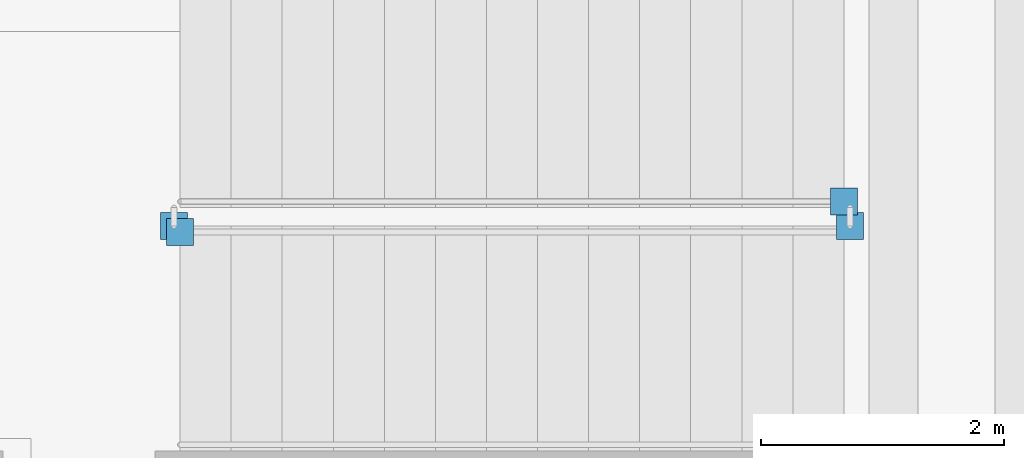
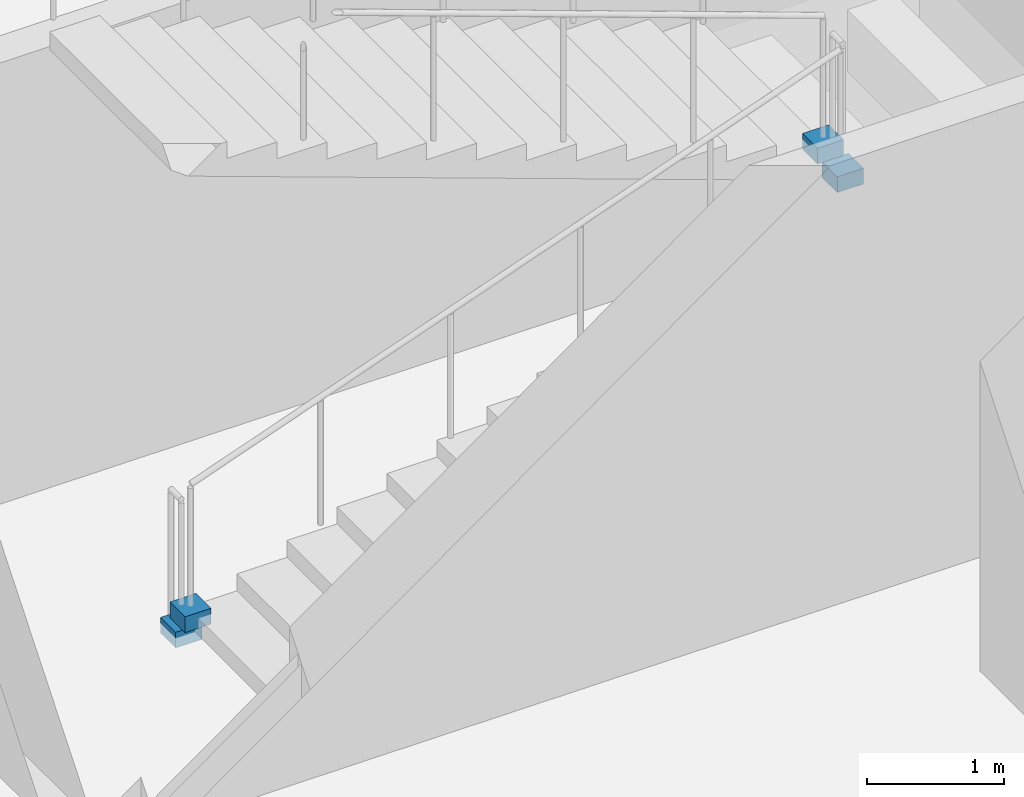
# One storey, part 20 of 28: 4 discrete accessories.
"""IFC4 building model written with IfcOpenShell, lengths in metres."""

import ifcopenshell
import ifcopenshell.guid

model = None  # the IFC model being written
_history = None  # IfcOwnerHistory: only IFC2X3 demands one
_inside = {}  # id of a spatial element -> (the spatial element, [elements in it])
_under = {}  # id of a project, library or spatial element -> (it, [spatial elements below it])
_declared = {}  # id of a project -> (the project, [libraries it declares])
_typed = {}  # id of a type object -> (the type object, [elements of that type])
_made_of = {}  # id of a material, layer set ... -> (it, [elements and type objects made of it])


def new_model(schema):
    """Start an empty IFC model of exactly this schema.

    Asked for "IFC4X3", IfcOpenShell would pick the latest addendum, in which some entities
    have other attributes; the version numbers below select the first issue.
    IFC2X3 requires an IfcOwnerHistory on every rooted entity: one is made here for all.
    """
    global model, _history
    if schema == "IFC4X3":
        model = ifcopenshell.file(schema_version=(4, 3, 0, 0))
    else:
        model = ifcopenshell.file(schema=schema)
    _inside.clear()
    _under.clear()
    _declared.clear()
    _typed.clear()
    _made_of.clear()
    _history = None
    if model.schema == "IFC2X3":
        org = make("IfcOrganization", Name="unknown")
        user = make(
            "IfcPersonAndOrganization",
            ThePerson=make("IfcPerson", FamilyName="unknown"),
            TheOrganization=org,
        )
        app = make(
            "IfcApplication",
            ApplicationDeveloper=org,
            Version="unknown",
            ApplicationFullName="unknown",
            ApplicationIdentifier="unknown",
        )
        _history = make(
            "IfcOwnerHistory",
            OwningUser=user,
            OwningApplication=app,
            ChangeAction="ADDED",
            CreationDate=0,
        )
    return model


def make(cls, **values):
    """One entity of the class cls with the attributes given. An attribute that is None is left unset."""
    return model.create_entity(
        cls, **{name: value for name, value in values.items() if value is not None}
    )


def rooted(cls, **values):
    """An entity with a GlobalId (a new one), such as an element, a storey or a relation."""
    return make(cls, GlobalId=ifcopenshell.guid.new(), OwnerHistory=_history, **values)


def si_unit(unit_type, name, prefix=None):
    """IfcSIUnit, for example si_unit("LENGTHUNIT", "METRE", prefix="MILLI")."""
    return make("IfcSIUnit", UnitType=unit_type, Prefix=prefix, Name=name)


def assignment(units):
    """IfcUnitAssignment: the units of a project."""
    return None if units is None else make("IfcUnitAssignment", Units=units)


def point(xyz):
    """IfcCartesianPoint."""
    return None if xyz is None else make("IfcCartesianPoint", Coordinates=xyz)


def direction(xyz):
    """IfcDirection."""
    return None if xyz is None else make("IfcDirection", DirectionRatios=xyz)


def frame(location, z_axis=None, x_axis=None):
    """IfcAxis2Placement3D, a coordinate frame: its origin and axes. An axis left out is left unset."""
    return make(
        "IfcAxis2Placement3D",
        Location=point(location),
        Axis=direction(z_axis),
        RefDirection=direction(x_axis),
    )


def frame_2d(location, x_axis=None):
    """IfcAxis2Placement2D, a coordinate frame in the plane: its origin and x axis."""
    return make(
        "IfcAxis2Placement2D", Location=point(location), RefDirection=direction(x_axis)
    )


def origin():
    """The frame at (0, 0, 0) with its axes left unset."""
    return frame((0.0, 0.0, 0.0))


def origin_2d():
    """The frame at (0, 0) in the plane with its x axis left unset."""
    return frame_2d((0.0, 0.0))


def place(relative_to, where):
    """IfcLocalPlacement: puts the frame where relative to a parent placement (None: the world)."""
    return make(
        "IfcLocalPlacement", PlacementRelTo=relative_to, RelativePlacement=where
    )


def context(
    kind, dimensions, precision=None, world=None, true_north=None, identifier=None
):
    """IfcGeometricRepresentationContext, for example the 3D "Model" context."""
    return make(
        "IfcGeometricRepresentationContext",
        ContextIdentifier=identifier,
        ContextType=kind,
        CoordinateSpaceDimension=dimensions,
        Precision=precision,
        WorldCoordinateSystem=world,
        TrueNorth=true_north,
    )


def subcontext(parent, identifier, kind, view, scale=None):
    """IfcGeometricRepresentationSubContext, for example "Body" below "Model"."""
    return make(
        "IfcGeometricRepresentationSubContext",
        ContextIdentifier=identifier,
        ContextType=kind,
        ParentContext=parent,
        TargetScale=scale,
        TargetView=view,
    )


def project(units=None, contexts=None):
    """IfcProject with its units and contexts."""
    return rooted(
        "IfcProject",
        Name="project",
        RepresentationContexts=contexts,
        UnitsInContext=assignment(units),
    )


def spatial(cls, under=None, at=None, **own):
    """A site, building, storey or space (cls), placed at a placement, below another one or the project."""
    s = rooted(cls, ObjectPlacement=at, **own)
    if under is not None:
        _under.setdefault(under.id(), (under, []))[1].append(s)
    return s


def profile(cls, at=None, kind="AREA", **sizes):
    """A parametric profile (cls). Its sizes go by their IFC names, for example OverallWidth=200.0."""
    return make(cls, ProfileType=kind, Position=at, **sizes)


def rectangle(**sizes):
    """IfcRectangleProfileDef."""
    return profile("IfcRectangleProfileDef", **sizes)


def extrude(swept, where, along, depth):
    """IfcExtrudedAreaSolid: the profile swept, set in the frame where, extruded along a direction by depth."""
    return make(
        "IfcExtrudedAreaSolid",
        SweptArea=swept,
        Position=where,
        ExtrudedDirection=direction(along),
        Depth=depth,
    )


def shape(context_of_items, identifier, shape_type, items):
    """IfcShapeRepresentation: the items that make up one representation, for example the "Body"."""
    return make(
        "IfcShapeRepresentation",
        ContextOfItems=context_of_items,
        RepresentationIdentifier=identifier,
        RepresentationType=shape_type,
        Items=items,
    )


def material(Name=None, Category=None):
    """IfcMaterial."""
    return make("IfcMaterial", Name=Name, Category=Category)


def made_of(thing, what):
    """Note that an element or type object is made of a material, layer set ...; save() writes the relation."""
    if what is not None:
        _made_of.setdefault(what.id(), (what, []))[1].append(thing)
    return thing


def type_object(cls, material=None, **own):
    """A type object (cls), such as IfcWallType, which elements share."""
    return made_of(rooted(cls, **own), material)


def element(
    cls,
    number,
    at=None,
    inside=None,
    cuts=None,
    type_object=None,
    material=None,
    context=None,
    identifier="Body",
    shape_type=None,
    held_by="IfcProductDefinitionShape",
    body=None,
    shapes=None,
    **own,
):
    """One element of the class cls, such as IfcWall. Its Tag is "e" and its number.

    at: its placement. inside: the storey or other place that contains it. cuts: it is an
    opening in that element (IfcRelVoidsElement). A single representation is given by context,
    identifier, shape_type and body (its items); several are given by shapes. held_by: the class
    of the entity that holds the representations. save() writes the other relations.
    """
    e = rooted(cls, Tag="e%d" % number, ObjectPlacement=at, **own)
    if body is not None:
        shapes = [shape(context, identifier, shape_type, body)]
    if shapes is not None:
        e.Representation = make(held_by, Representations=shapes)
    if inside is not None:
        _inside.setdefault(inside.id(), (inside, []))[1].append(e)
    if cuts is not None:
        rooted(
            "IfcRelVoidsElement", RelatingBuildingElement=cuts, RelatedOpeningElement=e
        )
    if type_object is not None:
        _typed.setdefault(type_object.id(), (type_object, []))[1].append(e)
    return made_of(e, material)


def aggregate(whole, parts):
    """IfcRelAggregates: a whole, such as a stair, and the parts it consists of."""
    return rooted("IfcRelAggregates", RelatingObject=whole, RelatedObjects=parts)


def save(model, path):
    """Write the relations noted so far, then the file.

    IfcRelAggregates (storeys below a building ...), IfcRelContainedInSpatialStructure (elements
    in a storey), IfcRelDefinesByType, IfcRelAssociatesMaterial and IfcRelDeclares: one each for
    every whole, place, type object, material and project.
    """
    for whole, parts in _under.values():
        aggregate(whole, parts)
    for where, things in _inside.values():
        rooted(
            "IfcRelContainedInSpatialStructure",
            RelatedElements=things,
            RelatingStructure=where,
        )
    for kind, things in _typed.values():
        rooted("IfcRelDefinesByType", RelatedObjects=things, RelatingType=kind)
    for what, things in _made_of.values():
        rooted("IfcRelAssociatesMaterial", RelatedObjects=things, RelatingMaterial=what)
    for by, libraries in _declared.values():
        rooted("IfcRelDeclares", RelatingContext=by, RelatedDefinitions=libraries)
    model.write(path)


model = new_model("IFC4")

# Units and contexts
model_context = context("Model", 3, precision=1e-05, world=origin(), true_north=direction((0.0, 1.0)))
body_context = subcontext(model_context, "Body", "Model", "MODEL_VIEW")
ifc_project = project(units=[si_unit("LENGTHUNIT", "METRE"), si_unit("AREAUNIT", "SQUARE_METRE"), si_unit("VOLUMEUNIT", "CUBIC_METRE"), si_unit("PLANEANGLEUNIT", "RADIAN"), si_unit("MASSUNIT", "GRAM", prefix="KILO")], contexts=[model_context])

# Site, building, storey
site_placement = place(None, origin())
site = spatial("IfcSite", under=ifc_project, at=site_placement, CompositionType="ELEMENT")
building_placement = place(site_placement, origin())
building = spatial("IfcBuilding", under=site, at=building_placement, Name="Varnakota Cinema and Media Centre", CompositionType="ELEMENT")
storey_placement = place(building_placement, frame((0.0, 0.0, -4.199951171875)))
storey = spatial("IfcBuildingStorey", under=building, at=storey_placement, Name="B1", CompositionType="ELEMENT", Elevation=-4.199951171875)

# Discrete accessories
ifc_material = material(Name="Structural steel Grade 350 (E350)", Category="steel")
discrete_accessory_type = type_object("IfcDiscreteAccessoryType", Name="ACC-BRACKET-SG", PredefinedType="BRACKET", material=ifc_material)
for number, where, z_axis, x_axis, name in (
    (1, (3.449951171875, 30.199951171875, 0.06005859375), (0.0, 0.0, 1.0), (1.0, 0.0, 0.0), "B1 stair guard base bracket ST-B1-B1-G1"),
    (2, (8.9599609375, 30.25, 2.009765625), (0.0, 0.0, 1.0), (1.0, 0.0, 0.0), "B1 stair guard base bracket ST-B1-B1-G2"),
    (3, (8.909912109375, 30.449951171875, 2.16015625), (0.0, 0.0, 1.0), (1.0, 0.0, 0.0), "B1 stair guard base bracket ST-B1-B1-G3"),
    (4, (3.39990234375, 30.25, -0.08984375), (0.0, 0.0, 1.0), (1.0, 0.0, 0.0), "B1 stair guard base bracket ST-B1-B1-G4"),
):
    element("IfcDiscreteAccessory", number, at=place(storey_placement, frame(where, z_axis=z_axis, x_axis=x_axis)), inside=storey, type_object=discrete_accessory_type, Name=name, PredefinedType="BRACKET", context=body_context, shape_type="SweptSolid", body=[
        extrude(rectangle(XDim=0.219970703125, YDim=0.219970703125, at=origin_2d()), origin(), (0.0, 0.0, 1.0), 0.139892578125),
    ])

save(model, "model.ifc")
